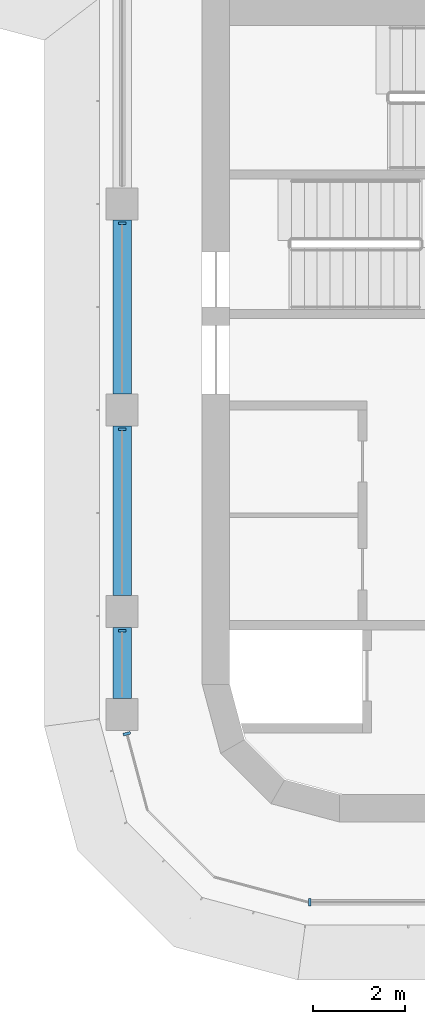
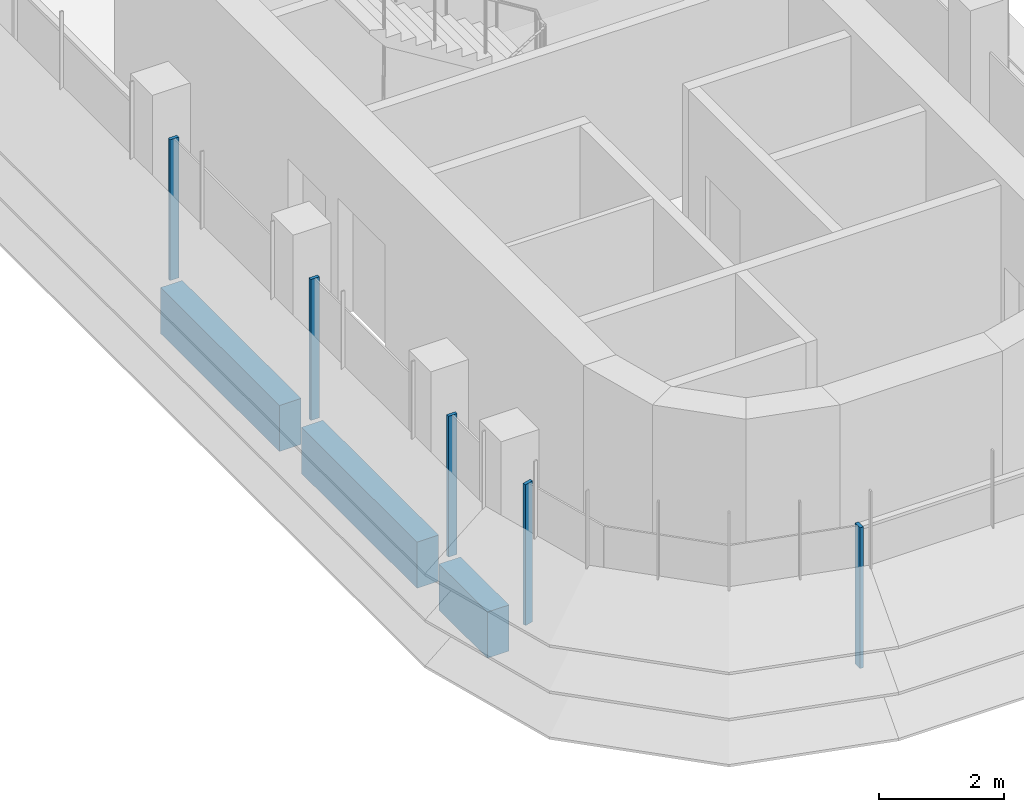
# One storey, part 2 of 19: 5 members, 3 beams, 3 elements without a shape of their own.
"""IFC4 building model written with IfcOpenShell, lengths in metres."""

from ifc_helpers import new_model, si_unit, direction, frame, origin, origin_2d, place, context, subcontext, project, spatial, polyline, rectangle, outline, extrude, source, transform, mapped, material, material_profile, profile_set, type_object, element, aggregate, save


model = new_model("IFC4")

# Units and contexts
model_context = context("Model", 3, precision=1e-05, world=origin(), true_north=direction((0.0, 1.0)))
body_context = subcontext(model_context, "Body", "Model", "MODEL_VIEW")
ifc_project = project(units=[si_unit("LENGTHUNIT", "METRE"), si_unit("AREAUNIT", "SQUARE_METRE"), si_unit("VOLUMEUNIT", "CUBIC_METRE"), si_unit("PLANEANGLEUNIT", "RADIAN"), si_unit("MASSUNIT", "GRAM", prefix="KILO")], contexts=[model_context])

# Site, building, storey
site_placement = place(None, origin())
site = spatial("IfcSite", under=ifc_project, at=site_placement, CompositionType="ELEMENT")
building_placement = place(site_placement, origin())
building = spatial("IfcBuilding", under=site, at=building_placement, Name="Zarbagh Exchange Tower", CompositionType="ELEMENT")
storey_placement = place(building_placement, frame((0.0, 0.0, 229.60009765625)))
storey = spatial("IfcBuildingStorey", under=building, at=storey_placement, Name="L56", CompositionType="ELEMENT", Elevation=229.60009765625)

# Beams
ifc_material_1 = material(Name="Concrete C50/60", Category="concrete")
ifc_material_profile = material_profile(ifc_material_1, rectangle(XDim=0.39990234375, YDim=0.89990234375, at=origin_2d()), Name="RC spandrel beam 400 x 900 C50/60")
ifc_profile_set = profile_set([ifc_material_profile], Name="Concrete C50/60")
beam_type = type_object("IfcBeamType", Name="RC spandrel beam 400 x 900 C50/60", PredefinedType="SPANDREL", material=ifc_profile_set)
beam_1_placement = place(storey_placement, frame((-6.25, -26.550048828125, -0.60009765625), z_axis=(0.0, 1.0, 0.0), x_axis=(-1.0, 0.0, 0.0)))
element("IfcBeam", 1, at=beam_1_placement, inside=storey, type_object=beam_type, Name="RC spandrel beam", PredefinedType="SPANDREL", context=body_context, shape_type="SweptSolid", body=[
    extrude(rectangle(XDim=0.39990234375, YDim=0.89990234375, at=origin_2d()), origin(), (0.0, 0.0, 1.0), 1.550048828125),
])
beam_2_placement = place(storey_placement, frame((-6.25, -24.300048828125, -0.60009765625), z_axis=(0.0, 1.0, 0.0), x_axis=(-1.0, 0.0, 0.0)))
element("IfcBeam", 2, at=beam_2_placement, inside=storey, type_object=beam_type, Name="RC spandrel beam", PredefinedType="SPANDREL", context=body_context, shape_type="SweptSolid", body=[
    extrude(rectangle(XDim=0.39990234375, YDim=0.89990234375, at=origin_2d()), origin(), (0.0, 0.0, 1.0), 3.699951171875),
])
beam_3_placement = place(storey_placement, frame((-6.25, -19.89990234375, -0.60009765625), z_axis=(0.0, 1.0, 0.0), x_axis=(-1.0, 0.0, 0.0)))
element("IfcBeam", 3, at=beam_3_placement, inside=storey, type_object=beam_type, Name="RC spandrel beam", PredefinedType="SPANDREL", context=body_context, shape_type="SweptSolid", body=[
    extrude(rectangle(XDim=0.39990234375, YDim=0.89990234375, at=origin_2d()), origin(), (0.0, 0.0, 1.0), 3.7998046875),
])

# Curtain wall, members
ifc_material_2 = material(Name="Anodised aluminium frame and glazing", Category="aluminium")
curtain_wall_type = type_object("IfcCurtainWallType", Name="CWB Ribbon glazing, upper zones", PredefinedType="NOTDEFINED", material=ifc_material_2)
curtain_wall_1_placement = place(storey_placement, origin())
curtain_wall_1 = element("IfcCurtainWall", 4, at=curtain_wall_1_placement, inside=storey, type_object=curtain_wall_type, Name="CWB53 curtain wall", PredefinedType="NOTDEFINED")
ifc_material_3 = material(Name="Anodised aluminium frame", Category="aluminium")
member_type = type_object("IfcMemberType", Name="MUB Mullion, anodised aluminium frame", PredefinedType="MULLION", material=ifc_material_3)
shared_shape = source(origin(), body_context, "Body", "SweptSolid", [
    extrude(outline(polyline([(0.0, -0.080078125), (0.06005859375, -0.080078125), (0.06005859375, 0.080078125), (0.0, 0.080078125), (0.0, -0.080078125)])), origin(), (0.0, 0.0, 1.0), 2.75),
])
placement = place(storey_placement, origin())
member_1 = element("IfcMember", 5, at=placement, type_object=member_type, Name="CWB53 mullion 2.1", PredefinedType="MULLION", context=body_context, shape_type="MappedRepresentation", body=[
    mapped(shared_shape, transform((-6.25, -16.14013671875, 0.0), x_axis=(0.0, -1.0, 0.0), y_axis=(1.0, 0.0, 0.0), z_axis=(0.0, 0.0, 1.0))),
])
member_2 = element("IfcMember", 6, at=placement, type_object=member_type, Name="CWB53 mullion 3.1", PredefinedType="MULLION", context=body_context, shape_type="MappedRepresentation", body=[
    mapped(shared_shape, transform((-6.25, -20.64013671875, 0.0), x_axis=(0.0, -1.0, 0.0), y_axis=(1.0, 0.0, 0.0), z_axis=(0.0, 0.0, 1.0))),
])
member_3 = element("IfcMember", 7, at=placement, type_object=member_type, Name="CWB53 mullion 4.1", PredefinedType="MULLION", context=body_context, shape_type="MappedRepresentation", body=[
    mapped(shared_shape, transform((-6.25, -25.0400390625, 0.0), x_axis=(0.0, -1.0, 0.0), y_axis=(1.0, 0.0, 0.0), z_axis=(0.0, 0.0, 1.0))),
])
aggregate(curtain_wall_1, [member_1, member_2, member_3])

# Curtain wall, member
curtain_wall_2_placement = place(storey_placement, origin())
curtain_wall_2 = element("IfcCurtainWall", 8, at=curtain_wall_2_placement, inside=storey, type_object=curtain_wall_type, Name="CWB54 curtain wall", PredefinedType="NOTDEFINED")
member_4 = element("IfcMember", 9, at=placement, type_object=member_type, Name="CWB54 mullion 1.1", PredefinedType="MULLION", context=body_context, shape_type="MappedRepresentation", body=[
    mapped(shared_shape, transform((-6.154541015625, -27.2900390625, 0.0), x_axis=(0.258824779902, -0.965924289636, 0.0), y_axis=(0.965924289636, 0.258824779902, 0.0), z_axis=(0.0, 0.0, 1.0))),
])
aggregate(curtain_wall_2, [member_4])

curtain_wall_3_placement = place(storey_placement, origin())
curtain_wall_3 = element("IfcCurtainWall", 10, at=curtain_wall_3_placement, inside=storey, type_object=curtain_wall_type, Name="CWB57 curtain wall", PredefinedType="NOTDEFINED")
member_5 = element("IfcMember", 11, at=placement, type_object=member_type, Name="CWB57 mullion 1.1", PredefinedType="MULLION", context=body_context, shape_type="MappedRepresentation", body=[
    mapped(shared_shape, transform((-2.18408203125, -31.0, 0.0), x_axis=(1.0, 0.0, 0.0), y_axis=(0.0, 1.0, 0.0), z_axis=(0.0, 0.0, 1.0))),
])
aggregate(curtain_wall_3, [member_5])

save(model, "model.ifc")
